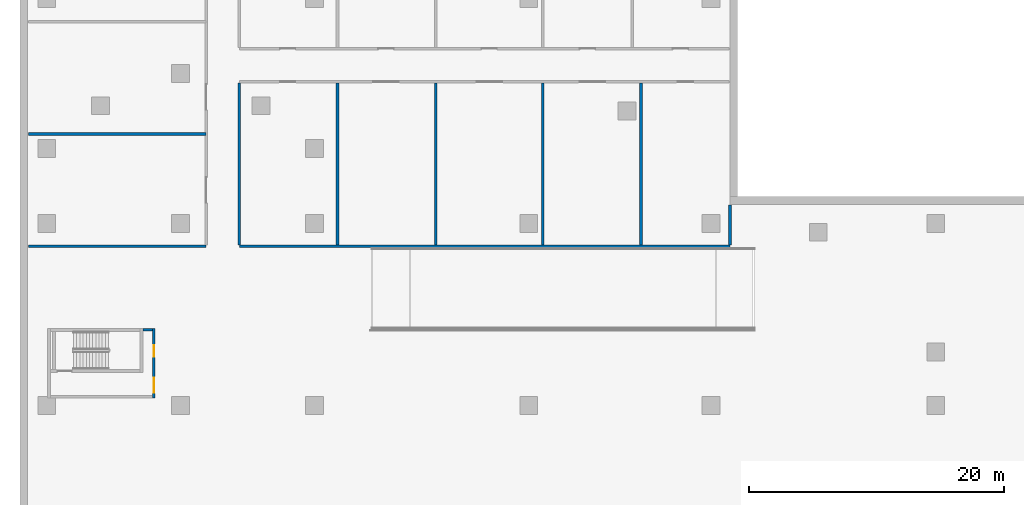
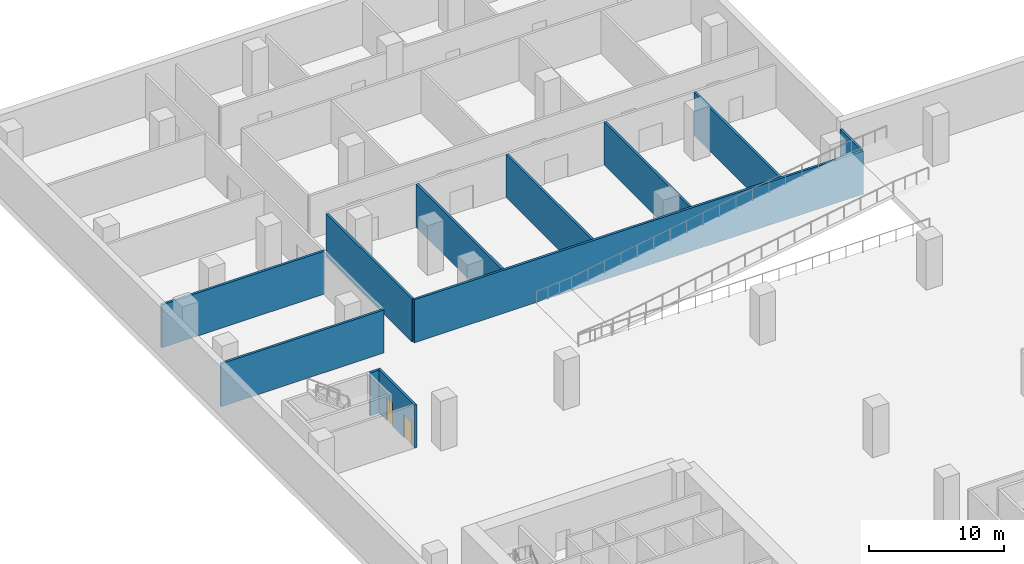
# One storey, part 6 of 12: 11 walls, 2 doors, 2 openings.
"""IFC4 building model written with IfcOpenShell, lengths in metres."""

from ifc_helpers import new_model, si_unit, direction, frame, frame_2d, origin, place, context, subcontext, project, spatial, rectangle, extrude, source, transform, mapped, material, layer, layer_set, type_object, element, fill, save


model = new_model("IFC4")

# Units and contexts
model_context = context("Model", 3, precision=1e-05, world=origin(), true_north=direction((0.0, 1.0)))
body_context = subcontext(model_context, "Body", "Model", "MODEL_VIEW")
ifc_project = project(units=[si_unit("LENGTHUNIT", "METRE"), si_unit("AREAUNIT", "SQUARE_METRE"), si_unit("VOLUMEUNIT", "CUBIC_METRE"), si_unit("PLANEANGLEUNIT", "RADIAN"), si_unit("MASSUNIT", "GRAM", prefix="KILO")], contexts=[model_context])

# Site, building, storey
site_placement = place(None, origin())
site = spatial("IfcSite", under=ifc_project, at=site_placement, CompositionType="ELEMENT")
building_placement = place(site_placement, origin())
building = spatial("IfcBuilding", under=site, at=building_placement, Name="Aurelian Terraces", CompositionType="ELEMENT")
storey_placement = place(building_placement, frame((0.0, 0.0, -9.0)))
storey = spatial("IfcBuildingStorey", under=building, at=storey_placement, Name="B2", CompositionType="ELEMENT", Elevation=-9.0)

# Wall, openings, doors
ifc_material_1 = material(Name="Gypsum board on steel studs", Category="steel")
ifc_layer_1 = layer(ifc_material_1, 0.2)
ifc_layer_set_1 = layer_set([ifc_layer_1], Name="Core partition 200")
wall_type_1 = type_object("IfcWallType", Name="Core partition 200", PredefinedType="PARTITIONING", material=ifc_layer_set_1)
shared_shape_1 = source(origin(), body_context, "Body", "SweptSolid", [
    extrude(rectangle(XDim=5.45, YDim=0.2, at=frame_2d((2.725, 0.0))), origin(), (0.0, 0.0, 1.0), 3.9),
])
wall_1_placement = place(storey_placement, frame((8.4, 38.4, 0.0), z_axis=(0.0, 0.0, 1.0), x_axis=(0.0, 1.0, 0.0)))
wall_1 = element("IfcWall", 1, at=wall_1_placement, inside=storey, type_object=wall_type_1, Name="B2 core wall ST-S3-BN", PredefinedType="PARTITIONING", context=body_context, shape_type="MappedRepresentation", body=[
    mapped(shared_shape_1, transform((0.0, 0.0, 0.0), scale=1.0)),
])
shared_shape_2 = source(origin(), body_context, "Body", "SweptSolid", [
    extrude(rectangle(XDim=1.2, YDim=2.1, at=frame_2d((0.6, 1.05))), frame((0.0, 0.11, 0.0), z_axis=(0.0, -1.0, 0.0), x_axis=(1.0, 0.0, 0.0)), (0.0, 0.0, 1.0), 0.22),
])
opening_1_placement = place(wall_1_placement, frame((0.4, 0.0, 0.0)))
opening_1 = element("IfcOpeningElement", 2, at=opening_1_placement, cuts=wall_1, Name="Opening 60118", PredefinedType="OPENING", context=body_context, shape_type="MappedRepresentation", body=[
    mapped(shared_shape_2, transform((0.0, 0.0, 0.0), scale=1.0)),
])
shared_shape_3 = source(origin(), body_context, "Body", "SweptSolid", [
    extrude(rectangle(XDim=0.9, YDim=2.1, at=frame_2d((0.45, 1.05))), frame((0.0, 0.11, 0.0), z_axis=(0.0, -1.0, 0.0), x_axis=(1.0, 0.0, 0.0)), (0.0, 0.0, 1.0), 0.22),
])
opening_2_placement = place(wall_1_placement, frame((3.25, 0.0, 0.0)))
opening_2 = element("IfcOpeningElement", 3, at=opening_2_placement, cuts=wall_1, Name="Opening 60119", PredefinedType="OPENING", context=body_context, shape_type="MappedRepresentation", body=[
    mapped(shared_shape_3, transform((0.0, 0.0, 0.0), scale=1.0)),
])
ifc_material_2 = material(Name="Steel door leaf", Category="steel")
door_type_1 = type_object("IfcDoorType", Name="Core riser door 900x2100", OperationType="SINGLE_SWING_LEFT", PredefinedType="DOOR", material=ifc_material_2)
shared_shape_4 = source(origin(), body_context, "Body", "SweptSolid", [
    extrude(rectangle(XDim=0.9, YDim=2.1, at=frame_2d((0.45, 1.05))), frame((0.0, 0.025, 0.0), z_axis=(0.0, -1.0, 0.0), x_axis=(1.0, 0.0, 0.0)), (0.0, 0.0, 1.0), 0.05),
])
door_1_placement = place(opening_2_placement, origin())
door_1 = element("IfcDoor", 4, at=door_1_placement, inside=storey, type_object=door_type_1, Name="Riser door 60119", OperationType="SINGLE_SWING_LEFT", OverallHeight=2.1, OverallWidth=0.9, PredefinedType="DOOR", context=body_context, shape_type="MappedRepresentation", body=[
    mapped(shared_shape_4, transform((0.0, 0.0, 0.0), scale=1.0)),
])
fill(opening_2, door_1)
door_type_2 = type_object("IfcDoorType", Name="Core fire door 1200x2100 right", OperationType="SINGLE_SWING_RIGHT", PredefinedType="DOOR", material=ifc_material_2)
shared_shape_5 = source(origin(), body_context, "Body", "SweptSolid", [
    extrude(rectangle(XDim=1.2, YDim=2.1, at=frame_2d((0.6, 1.05))), frame((0.0, 0.025, 0.0), z_axis=(0.0, -1.0, 0.0), x_axis=(1.0, 0.0, 0.0)), (0.0, 0.0, 1.0), 0.05),
])
door_2_placement = place(opening_1_placement, origin())
door_2 = element("IfcDoor", 5, at=door_2_placement, inside=storey, type_object=door_type_2, Name="Vestibule door 60118", OperationType="SINGLE_SWING_RIGHT", OverallHeight=2.1, OverallWidth=1.2, PredefinedType="DOOR", context=body_context, shape_type="MappedRepresentation", body=[
    mapped(shared_shape_5, transform((0.0, 0.0, 0.0), scale=1.0)),
])
fill(opening_1, door_2)

# Walls
shared_shape_6 = source(origin(), body_context, "Body", "SweptSolid", [
    extrude(rectangle(XDim=0.75, YDim=0.2, at=frame_2d((0.375, 0.0))), origin(), (0.0, 0.0, 1.0), 3.9),
])
wall_2_placement = place(storey_placement, frame((7.55, 43.75, 0.0), z_axis=(0.0, 0.0, 1.0), x_axis=(1.0, 0.0, 0.0)))
element("IfcWall", 6, at=wall_2_placement, inside=storey, type_object=wall_type_1, Name="B2 core wall ST-S3-RE", PredefinedType="PARTITIONING", context=body_context, shape_type="MappedRepresentation", body=[
    mapped(shared_shape_6, transform((0.0, 0.0, 0.0), scale=1.0)),
])
ifc_layer_2 = layer(ifc_material_1, 0.2)
ifc_layer_set_2 = layer_set([ifc_layer_2], Name="Basement partition 200")
wall_type_2 = type_object("IfcWallType", Name="Basement partition 200", PredefinedType="PARTITIONING", material=ifc_layer_set_2)
shared_shape_7 = source(origin(), body_context, "Body", "SweptSolid", [
    extrude(rectangle(XDim=13.94, YDim=0.2, at=frame_2d((6.97, 0.0))), origin(), (0.0, 0.0, 1.0), 3.9),
])
for number, where, z_axis, x_axis, name in (
    (7, (-1.44, 50.3, 0.0), (0.0, 0.0, 1.0), (1.0, 0.0, 0.0), "B2 partition 004"),
    (8, (-1.44, 59.1, 0.0), (0.0, 0.0, 1.0), (1.0, 0.0, 0.0), "B2 partition 006"),
):
    element("IfcWall", number, at=place(storey_placement, frame(where, z_axis=z_axis, x_axis=x_axis)), inside=storey, type_object=wall_type_2, Name=name, PredefinedType="PARTITIONING", context=body_context, shape_type="MappedRepresentation", body=[
        mapped(shared_shape_7, transform((0.0, 0.0, 0.0), scale=1.0)),
    ])
shared_shape_8 = source(origin(), body_context, "Body", "SweptSolid", [
    extrude(rectangle(XDim=12.7, YDim=0.2, at=frame_2d((6.35, 0.0))), origin(), (0.0, 0.0, 1.0), 3.9),
])
for number, where, z_axis, x_axis, name in (
    (9, (15.1, 50.4, 0.0), (0.0, 0.0, 1.0), (0.0, 1.0, 0.0), "B2 partition 014"),
    (10, (22.8, 50.4, 0.0), (0.0, 0.0, 1.0), (0.0, 1.0, 0.0), "B2 partition 017"),
    (11, (30.5, 50.4, 0.0), (0.0, 0.0, 1.0), (0.0, 1.0, 0.0), "B2 partition 020"),
    (12, (38.9, 50.4, 0.0), (0.0, 0.0, 1.0), (0.0, 1.0, 0.0), "B2 partition 023"),
    (13, (46.6, 50.4, 0.0), (0.0, 0.0, 1.0), (0.0, 1.0, 0.0), "B2 partition 028"),
):
    element("IfcWall", number, at=place(storey_placement, frame(where, z_axis=z_axis, x_axis=x_axis)), inside=storey, type_object=wall_type_2, Name=name, PredefinedType="PARTITIONING", context=body_context, shape_type="MappedRepresentation", body=[
        mapped(shared_shape_8, transform((0.0, 0.0, 0.0), scale=1.0)),
    ])
shared_shape_9 = source(origin(), body_context, "Body", "SweptSolid", [
    extrude(rectangle(XDim=38.48, YDim=0.2, at=frame_2d((19.24, 0.0))), origin(), (0.0, 0.0, 1.0), 3.9),
])
wall_3_placement = place(storey_placement, frame((15.1, 50.3, 0.0), z_axis=(0.0, 0.0, 1.0), x_axis=(1.0, 0.0, 0.0)))
element("IfcWall", 14, at=wall_3_placement, inside=storey, type_object=wall_type_2, Name="B2 partition 005", PredefinedType="PARTITIONING", context=body_context, shape_type="MappedRepresentation", body=[
    mapped(shared_shape_9, transform((0.0, 0.0, 0.0), scale=1.0)),
])
shared_shape_10 = source(origin(), body_context, "Body", "SweptSolid", [
    extrude(rectangle(XDim=3.12, YDim=0.2, at=frame_2d((1.56, 0.0))), origin(), (0.0, 0.0, 1.0), 3.9),
])
wall_4_placement = place(storey_placement, frame((53.58, 50.4, 0.0), z_axis=(0.0, 0.0, 1.0), x_axis=(0.0, 1.0, 0.0)))
element("IfcWall", 15, at=wall_4_placement, inside=storey, type_object=wall_type_2, Name="B2 partition 031", PredefinedType="PARTITIONING", context=body_context, shape_type="MappedRepresentation", body=[
    mapped(shared_shape_10, transform((0.0, 0.0, 0.0), scale=1.0)),
])

save(model, "model.ifc")
